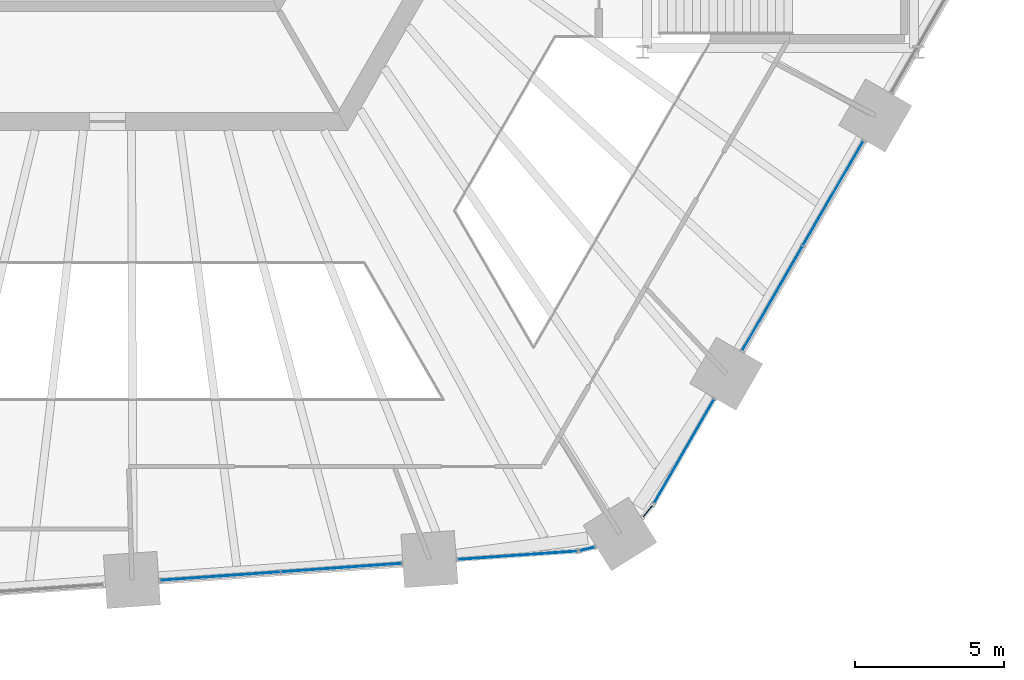
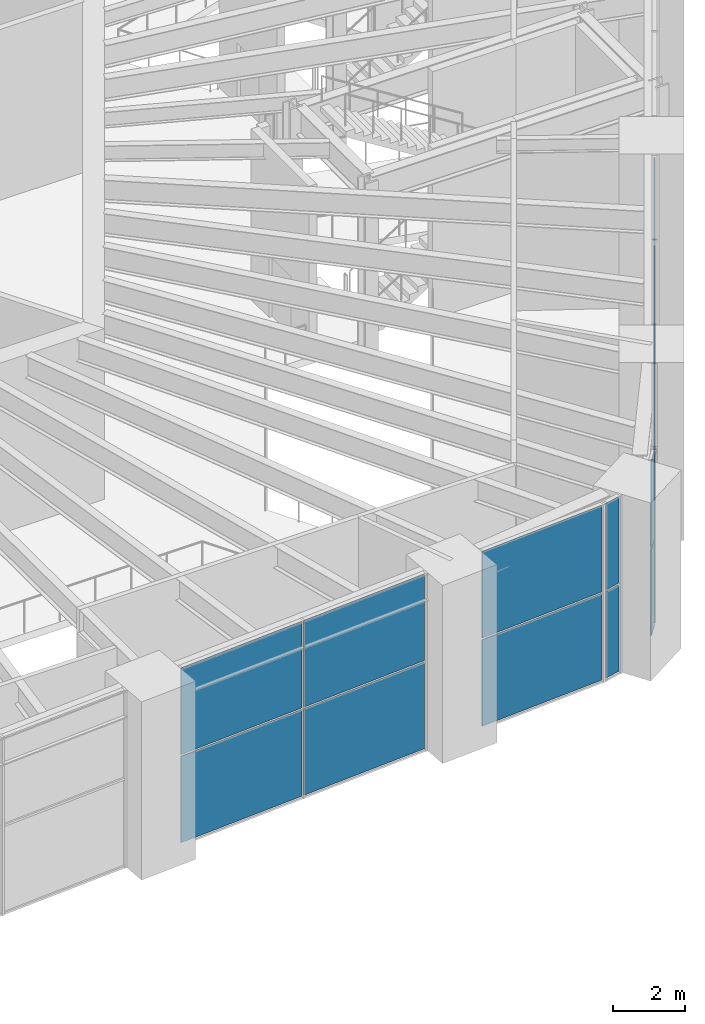
# One storey, part 16 of 32: 16 plates, 6 elements without a shape of their own.
"""IFC4 building model written with IfcOpenShell, lengths in metres."""

from ifc_helpers import new_model, si_unit, direction, frame, origin, origin_2d, place, context, subcontext, project, spatial, rectangle, extrude, material, layer, layer_set, type_object, element, aggregate, save


model = new_model("IFC4")

# Units and contexts
model_context = context("Model", 3, precision=1e-05, world=origin(), true_north=direction((0.0, 1.0)))
body_context = subcontext(model_context, "Body", "Model", "MODEL_VIEW")
ifc_project = project(units=[si_unit("LENGTHUNIT", "METRE"), si_unit("AREAUNIT", "SQUARE_METRE"), si_unit("VOLUMEUNIT", "CUBIC_METRE"), si_unit("PLANEANGLEUNIT", "RADIAN"), si_unit("MASSUNIT", "GRAM", prefix="KILO")], contexts=[model_context])

# Site, building, storey
site_placement = place(None, origin())
site = spatial("IfcSite", under=ifc_project, at=site_placement, CompositionType="ELEMENT")
building_placement = place(site_placement, origin())
building = spatial("IfcBuilding", under=site, at=building_placement, Name="Tarnside Tower", CompositionType="ELEMENT")
storey_placement = place(building_placement, frame((0.0, 0.0, 9.0)))
storey = spatial("IfcBuildingStorey", under=building, at=storey_placement, Name="L01", CompositionType="ELEMENT", Elevation=9.0)

# Curtain wall, plates
ifc_material_1 = material(Name="Retail shopfront glazing wall", Category="glass")
curtain_wall_type = type_object("IfcCurtainWallType", Name="Retail shopfront glazing wall", PredefinedType="NOTDEFINED", material=ifc_material_1)
curtain_wall_1_placement = place(storey_placement, origin())
curtain_wall_1 = element("IfcCurtainWall", 1, at=curtain_wall_1_placement, inside=storey, type_object=curtain_wall_type, Name="Retail shopfront glazing L01 13.0", PredefinedType="NOTDEFINED")
ifc_material_2 = material(Name="Low-iron safety glass", Category="glass")
ifc_layer = layer(ifc_material_2, 0.028076171875)
ifc_layer_set = layer_set([ifc_layer], Name="Retail shopfront glazing panel 28")
plate_type = type_object("IfcPlateType", Name="Retail shopfront glazing panel 28", PredefinedType="CURTAIN_PANEL", material=ifc_layer_set)
plate_1_placement = place(storey_placement, frame((3.791015625, -28.986083984375, -0.18994140625), z_axis=(0.0, 0.0, 1.0), x_axis=(0.997564050257, 0.069756473779, 0.0)))
plate_1 = element("IfcPlate", 2, at=plate_1_placement, type_object=plate_type, Name="CW2 panel 1.1", PredefinedType="CURTAIN_PANEL", context=body_context, shape_type="SweptSolid", body=[
    extrude(rectangle(XDim=4.021728515625, YDim=0.028076171875, at=origin_2d()), origin(), (0.0, 0.0, 1.0), 2.909912109375),
])
plate_2_placement = place(storey_placement, frame((3.791015625, -28.986083984375, 2.7802734375), z_axis=(0.0, 0.0, 1.0), x_axis=(0.997564050257, 0.069756473779, 0.0)))
plate_2 = element("IfcPlate", 3, at=plate_2_placement, type_object=plate_type, Name="CW2 panel 1.2", PredefinedType="CURTAIN_PANEL", context=body_context, shape_type="SweptSolid", body=[
    extrude(rectangle(XDim=4.021728515625, YDim=0.028076171875, at=origin_2d()), origin(), (0.0, 0.0, 1.0), 2.909912109375),
])
plate_3_placement = place(storey_placement, frame((7.863037109375, -28.701416015625, -0.18994140625), z_axis=(0.0, 0.0, 1.0), x_axis=(0.997564050257, 0.069756473779, 0.0)))
plate_3 = element("IfcPlate", 4, at=plate_3_placement, type_object=plate_type, Name="CW2 panel 2.1", PredefinedType="CURTAIN_PANEL", context=body_context, shape_type="SweptSolid", body=[
    extrude(rectangle(XDim=4.021728515625, YDim=0.028076171875, at=origin_2d()), origin(), (0.0, 0.0, 1.0), 2.909912109375),
])
plate_4_placement = place(storey_placement, frame((7.863037109375, -28.701416015625, 2.7802734375), z_axis=(0.0, 0.0, 1.0), x_axis=(0.997564050257, 0.069756473779, 0.0)))
plate_4 = element("IfcPlate", 5, at=plate_4_placement, type_object=plate_type, Name="CW2 panel 2.2", PredefinedType="CURTAIN_PANEL", context=body_context, shape_type="SweptSolid", body=[
    extrude(rectangle(XDim=4.021728515625, YDim=0.028076171875, at=origin_2d()), origin(), (0.0, 0.0, 1.0), 2.909912109375),
])
aggregate(curtain_wall_1, [plate_1, plate_2, plate_3, plate_4])

curtain_wall_2_placement = place(storey_placement, origin())
curtain_wall_2 = element("IfcCurtainWall", 6, at=curtain_wall_2_placement, inside=storey, type_object=curtain_wall_type, Name="Retail shopfront glazing L01 14.0", PredefinedType="NOTDEFINED")
plate_5_placement = place(storey_placement, frame((13.775390625, -28.2880859375, -0.18994140625), z_axis=(0.0, 0.0, 1.0), x_axis=(0.997564050248, 0.069756473918, 0.0)))
plate_5 = element("IfcPlate", 7, at=plate_5_placement, type_object=plate_type, Name="CW2 panel 1.1", PredefinedType="CURTAIN_PANEL", context=body_context, shape_type="SweptSolid", body=[
    extrude(rectangle(XDim=3.991943359375, YDim=0.028076171875, at=origin_2d()), origin(), (0.0, 0.0, 1.0), 2.909912109375),
])
plate_6_placement = place(storey_placement, frame((13.775390625, -28.2880859375, 2.7802734375), z_axis=(0.0, 0.0, 1.0), x_axis=(0.997564050248, 0.069756473918, 0.0)))
plate_6 = element("IfcPlate", 8, at=plate_6_placement, type_object=plate_type, Name="CW2 panel 1.2", PredefinedType="CURTAIN_PANEL", context=body_context, shape_type="SweptSolid", body=[
    extrude(rectangle(XDim=3.991943359375, YDim=0.028076171875, at=origin_2d()), origin(), (0.0, 0.0, 1.0), 2.909912109375),
])
aggregate(curtain_wall_2, [plate_5, plate_6])

curtain_wall_3_placement = place(storey_placement, origin())
curtain_wall_3 = element("IfcCurtainWall", 9, at=curtain_wall_3_placement, inside=storey, type_object=curtain_wall_type, Name="Retail shopfront glazing L01 14.1", PredefinedType="NOTDEFINED")
plate_7_placement = place(storey_placement, frame((16.135009765625, -28.072509765625, -0.18994140625), z_axis=(0.0, 0.0, 1.0), x_axis=(0.973044870489, 0.230615871127, 0.0)))
plate_7 = element("IfcPlate", 10, at=plate_7_placement, type_object=plate_type, Name="CW2 panel 1.1", PredefinedType="CURTAIN_PANEL", context=body_context, shape_type="SweptSolid", body=[
    extrude(rectangle(XDim=0.48828125, YDim=0.028076171875, at=origin_2d()), origin(), (0.0, 0.0, 1.0), 2.909912109375),
])
plate_8_placement = place(storey_placement, frame((16.135009765625, -28.072509765625, 2.7802734375), z_axis=(0.0, 0.0, 1.0), x_axis=(0.973044870489, 0.230615871127, 0.0)))
plate_8 = element("IfcPlate", 11, at=plate_8_placement, type_object=plate_type, Name="CW2 panel 1.2", PredefinedType="CURTAIN_PANEL", context=body_context, shape_type="SweptSolid", body=[
    extrude(rectangle(XDim=0.48828125, YDim=0.028076171875, at=origin_2d()), origin(), (0.0, 0.0, 1.0), 2.909912109375),
])
aggregate(curtain_wall_3, [plate_7, plate_8])

curtain_wall_4_placement = place(storey_placement, origin())
curtain_wall_4 = element("IfcCurtainWall", 12, at=curtain_wall_4_placement, inside=storey, type_object=curtain_wall_type, Name="Retail shopfront glazing L01 15.0", PredefinedType="NOTDEFINED")
plate_9_placement = place(storey_placement, frame((18.158203125, -26.808349609375, -0.18994140625), z_axis=(0.0, 0.0, 1.0), x_axis=(0.633830966989, 0.77347159307, 0.0)))
plate_9 = element("IfcPlate", 13, at=plate_9_placement, type_object=plate_type, Name="CW2 panel 1.1", PredefinedType="CURTAIN_PANEL", context=body_context, shape_type="SweptSolid", body=[
    extrude(rectangle(XDim=0.48828125, YDim=0.028076171875, at=origin_2d()), origin(), (0.0, 0.0, 1.0), 2.909912109375),
])
plate_10_placement = place(storey_placement, frame((18.158203125, -26.808349609375, 2.7802734375), z_axis=(0.0, 0.0, 1.0), x_axis=(0.633830966989, 0.77347159307, 0.0)))
plate_10 = element("IfcPlate", 14, at=plate_10_placement, type_object=plate_type, Name="CW2 panel 1.2", PredefinedType="CURTAIN_PANEL", context=body_context, shape_type="SweptSolid", body=[
    extrude(rectangle(XDim=0.48828125, YDim=0.028076171875, at=origin_2d()), origin(), (0.0, 0.0, 1.0), 2.909912109375),
])
aggregate(curtain_wall_4, [plate_9, plate_10])

curtain_wall_5_placement = place(storey_placement, origin())
curtain_wall_5 = element("IfcCurtainWall", 15, at=curtain_wall_5_placement, inside=storey, type_object=curtain_wall_type, Name="Retail shopfront glazing L01 15.1", PredefinedType="NOTDEFINED")
plate_11_placement = place(storey_placement, frame((19.386474609375, -24.78173828125, -0.18994140625), z_axis=(0.0, 0.0, 1.0), x_axis=(0.50000000003, 0.866025403767, 0.0)))
plate_11 = element("IfcPlate", 16, at=plate_11_placement, type_object=plate_type, Name="CW2 panel 1.1", PredefinedType="CURTAIN_PANEL", context=body_context, shape_type="SweptSolid", body=[
    extrude(rectangle(XDim=3.991943359375, YDim=0.028076171875, at=origin_2d()), origin(), (0.0, 0.0, 1.0), 2.909912109375),
])
plate_12_placement = place(storey_placement, frame((19.386474609375, -24.78173828125, 2.7802734375), z_axis=(0.0, 0.0, 1.0), x_axis=(0.50000000003, 0.866025403767, 0.0)))
plate_12 = element("IfcPlate", 17, at=plate_12_placement, type_object=plate_type, Name="CW2 panel 1.2", PredefinedType="CURTAIN_PANEL", context=body_context, shape_type="SweptSolid", body=[
    extrude(rectangle(XDim=3.991943359375, YDim=0.028076171875, at=origin_2d()), origin(), (0.0, 0.0, 1.0), 2.909912109375),
])
aggregate(curtain_wall_5, [plate_11, plate_12])

curtain_wall_6_placement = place(storey_placement, origin())
curtain_wall_6 = element("IfcCurtainWall", 18, at=curtain_wall_6_placement, inside=storey, type_object=curtain_wall_type, Name="Retail shopfront glazing L01 16.0", PredefinedType="NOTDEFINED")
plate_13_placement = place(storey_placement, frame((22.349853515625, -19.64892578125, -0.18994140625), z_axis=(0.0, 0.0, 1.0), x_axis=(0.49999999994, 0.866025403819, 0.0)))
plate_13 = element("IfcPlate", 19, at=plate_13_placement, type_object=plate_type, Name="CW2 panel 1.1", PredefinedType="CURTAIN_PANEL", context=body_context, shape_type="SweptSolid", body=[
    extrude(rectangle(XDim=4.021728515625, YDim=0.028076171875, at=origin_2d()), origin(), (0.0, 0.0, 1.0), 2.909912109375),
])
plate_14_placement = place(storey_placement, frame((22.349853515625, -19.64892578125, 2.7802734375), z_axis=(0.0, 0.0, 1.0), x_axis=(0.49999999994, 0.866025403819, 0.0)))
plate_14 = element("IfcPlate", 20, at=plate_14_placement, type_object=plate_type, Name="CW2 panel 1.2", PredefinedType="CURTAIN_PANEL", context=body_context, shape_type="SweptSolid", body=[
    extrude(rectangle(XDim=4.021728515625, YDim=0.028076171875, at=origin_2d()), origin(), (0.0, 0.0, 1.0), 2.909912109375),
])
plate_15_placement = place(storey_placement, frame((24.390625, -16.114013671875, -0.18994140625), z_axis=(0.0, 0.0, 1.0), x_axis=(0.49999999994, 0.866025403819, 0.0)))
plate_15 = element("IfcPlate", 21, at=plate_15_placement, type_object=plate_type, Name="CW2 panel 2.1", PredefinedType="CURTAIN_PANEL", context=body_context, shape_type="SweptSolid", body=[
    extrude(rectangle(XDim=4.021728515625, YDim=0.028076171875, at=origin_2d()), origin(), (0.0, 0.0, 1.0), 2.909912109375),
])
plate_16_placement = place(storey_placement, frame((24.390625, -16.114013671875, 2.7802734375), z_axis=(0.0, 0.0, 1.0), x_axis=(0.49999999994, 0.866025403819, 0.0)))
plate_16 = element("IfcPlate", 22, at=plate_16_placement, type_object=plate_type, Name="CW2 panel 2.2", PredefinedType="CURTAIN_PANEL", context=body_context, shape_type="SweptSolid", body=[
    extrude(rectangle(XDim=4.021728515625, YDim=0.028076171875, at=origin_2d()), origin(), (0.0, 0.0, 1.0), 2.909912109375),
])
aggregate(curtain_wall_6, [plate_13, plate_14, plate_15, plate_16])

save(model, "model.ifc")
